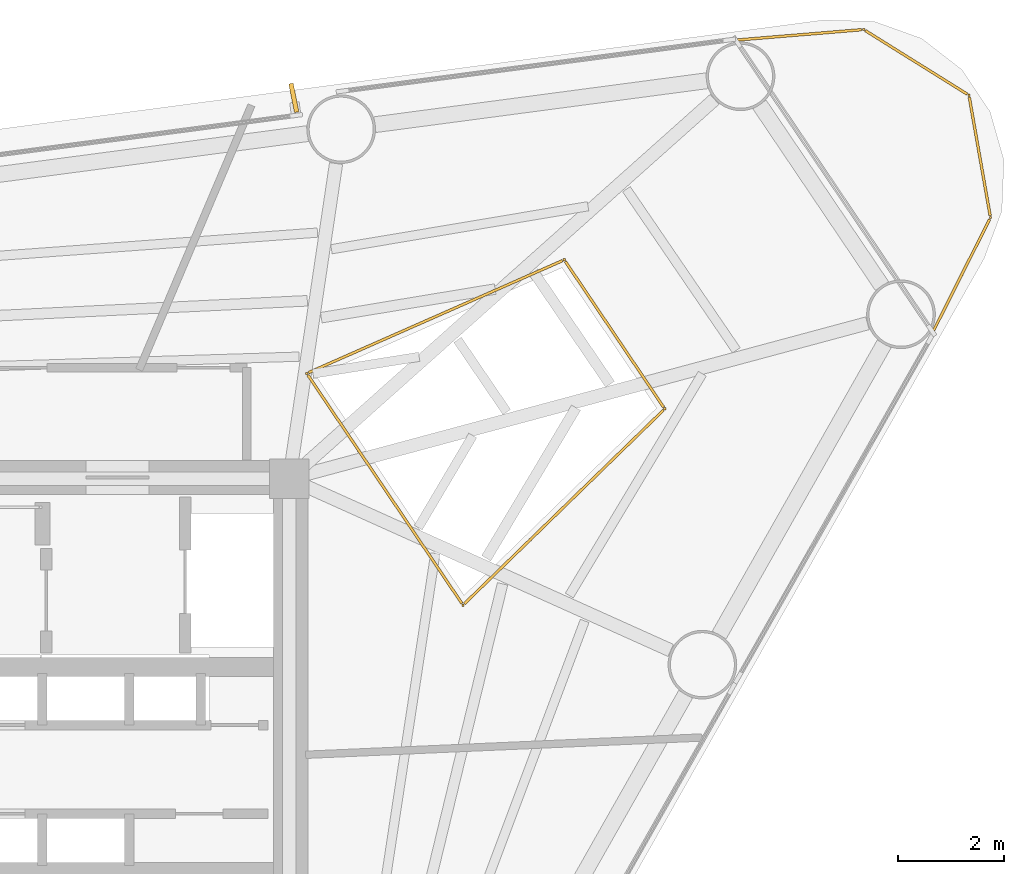
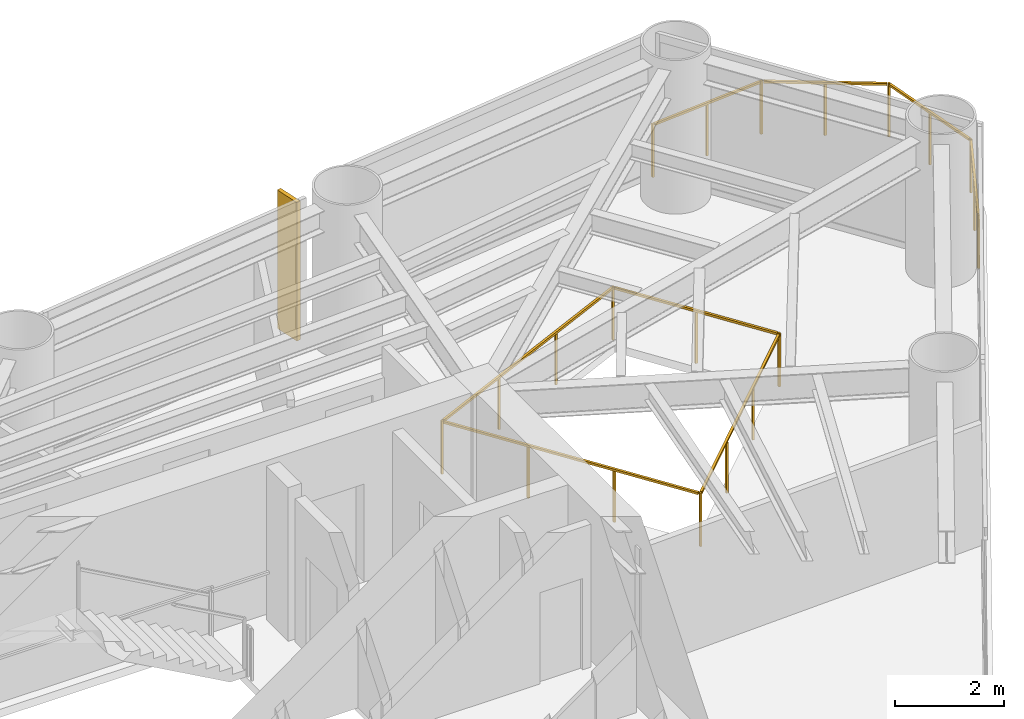
# One storey, part 10 of 10: 2 railings, 1 shading device.
"""IFC4 building model written with IfcOpenShell, lengths in metres."""

import ifcopenshell
import ifcopenshell.guid

model = None  # the IFC model being written
_history = None  # IfcOwnerHistory: only IFC2X3 demands one
_inside = {}  # id of a spatial element -> (the spatial element, [elements in it])
_under = {}  # id of a project, library or spatial element -> (it, [spatial elements below it])
_declared = {}  # id of a project -> (the project, [libraries it declares])
_typed = {}  # id of a type object -> (the type object, [elements of that type])
_made_of = {}  # id of a material, layer set ... -> (it, [elements and type objects made of it])


def new_model(schema):
    """Start an empty IFC model of exactly this schema.

    Asked for "IFC4X3", IfcOpenShell would pick the latest addendum, in which some entities
    have other attributes; the version numbers below select the first issue.
    IFC2X3 requires an IfcOwnerHistory on every rooted entity: one is made here for all.
    """
    global model, _history
    if schema == "IFC4X3":
        model = ifcopenshell.file(schema_version=(4, 3, 0, 0))
    else:
        model = ifcopenshell.file(schema=schema)
    _inside.clear()
    _under.clear()
    _declared.clear()
    _typed.clear()
    _made_of.clear()
    _history = None
    if model.schema == "IFC2X3":
        org = make("IfcOrganization", Name="unknown")
        user = make(
            "IfcPersonAndOrganization",
            ThePerson=make("IfcPerson", FamilyName="unknown"),
            TheOrganization=org,
        )
        app = make(
            "IfcApplication",
            ApplicationDeveloper=org,
            Version="unknown",
            ApplicationFullName="unknown",
            ApplicationIdentifier="unknown",
        )
        _history = make(
            "IfcOwnerHistory",
            OwningUser=user,
            OwningApplication=app,
            ChangeAction="ADDED",
            CreationDate=0,
        )
    return model


def make(cls, **values):
    """One entity of the class cls with the attributes given. An attribute that is None is left unset."""
    return model.create_entity(
        cls, **{name: value for name, value in values.items() if value is not None}
    )


def rooted(cls, **values):
    """An entity with a GlobalId (a new one), such as an element, a storey or a relation."""
    return make(cls, GlobalId=ifcopenshell.guid.new(), OwnerHistory=_history, **values)


def si_unit(unit_type, name, prefix=None):
    """IfcSIUnit, for example si_unit("LENGTHUNIT", "METRE", prefix="MILLI")."""
    return make("IfcSIUnit", UnitType=unit_type, Prefix=prefix, Name=name)


def assignment(units):
    """IfcUnitAssignment: the units of a project."""
    return None if units is None else make("IfcUnitAssignment", Units=units)


def point(xyz):
    """IfcCartesianPoint."""
    return None if xyz is None else make("IfcCartesianPoint", Coordinates=xyz)


def direction(xyz):
    """IfcDirection."""
    return None if xyz is None else make("IfcDirection", DirectionRatios=xyz)


def frame(location, z_axis=None, x_axis=None):
    """IfcAxis2Placement3D, a coordinate frame: its origin and axes. An axis left out is left unset."""
    return make(
        "IfcAxis2Placement3D",
        Location=point(location),
        Axis=direction(z_axis),
        RefDirection=direction(x_axis),
    )


def frame_2d(location, x_axis=None):
    """IfcAxis2Placement2D, a coordinate frame in the plane: its origin and x axis."""
    return make(
        "IfcAxis2Placement2D", Location=point(location), RefDirection=direction(x_axis)
    )


def origin():
    """The frame at (0, 0, 0) with its axes left unset."""
    return frame((0.0, 0.0, 0.0))


def origin_2d():
    """The frame at (0, 0) in the plane with its x axis left unset."""
    return frame_2d((0.0, 0.0))


def place(relative_to, where):
    """IfcLocalPlacement: puts the frame where relative to a parent placement (None: the world)."""
    return make(
        "IfcLocalPlacement", PlacementRelTo=relative_to, RelativePlacement=where
    )


def context(
    kind, dimensions, precision=None, world=None, true_north=None, identifier=None
):
    """IfcGeometricRepresentationContext, for example the 3D "Model" context."""
    return make(
        "IfcGeometricRepresentationContext",
        ContextIdentifier=identifier,
        ContextType=kind,
        CoordinateSpaceDimension=dimensions,
        Precision=precision,
        WorldCoordinateSystem=world,
        TrueNorth=true_north,
    )


def subcontext(parent, identifier, kind, view, scale=None):
    """IfcGeometricRepresentationSubContext, for example "Body" below "Model"."""
    return make(
        "IfcGeometricRepresentationSubContext",
        ContextIdentifier=identifier,
        ContextType=kind,
        ParentContext=parent,
        TargetScale=scale,
        TargetView=view,
    )


def project(units=None, contexts=None):
    """IfcProject with its units and contexts."""
    return rooted(
        "IfcProject",
        Name="project",
        RepresentationContexts=contexts,
        UnitsInContext=assignment(units),
    )


def spatial(cls, under=None, at=None, **own):
    """A site, building, storey or space (cls), placed at a placement, below another one or the project."""
    s = rooted(cls, ObjectPlacement=at, **own)
    if under is not None:
        _under.setdefault(under.id(), (under, []))[1].append(s)
    return s


def profile(cls, at=None, kind="AREA", **sizes):
    """A parametric profile (cls). Its sizes go by their IFC names, for example OverallWidth=200.0."""
    return make(cls, ProfileType=kind, Position=at, **sizes)


def rectangle(**sizes):
    """IfcRectangleProfileDef."""
    return profile("IfcRectangleProfileDef", **sizes)


def extrude(swept, where, along, depth):
    """IfcExtrudedAreaSolid: the profile swept, set in the frame where, extruded along a direction by depth."""
    return make(
        "IfcExtrudedAreaSolid",
        SweptArea=swept,
        Position=where,
        ExtrudedDirection=direction(along),
        Depth=depth,
    )


def shape(context_of_items, identifier, shape_type, items):
    """IfcShapeRepresentation: the items that make up one representation, for example the "Body"."""
    return make(
        "IfcShapeRepresentation",
        ContextOfItems=context_of_items,
        RepresentationIdentifier=identifier,
        RepresentationType=shape_type,
        Items=items,
    )


def source(mapping_origin, context_of_items, identifier, shape_type, items):
    """IfcRepresentationMap: a shape defined once, which mapped items show again and again."""
    return make(
        "IfcRepresentationMap",
        MappingOrigin=mapping_origin,
        MappedRepresentation=shape(context_of_items, identifier, shape_type, items),
    )


def transform(
    local_origin,
    x_axis=None,
    y_axis=None,
    z_axis=None,
    scale=None,
    scale2=None,
    scale3=None,
    uniform=True,
):
    """IfcCartesianTransformationOperator3D, or its non-uniform kind. x_axis, y_axis, z_axis: its Axis1, 2, 3."""
    if uniform:
        return make(
            "IfcCartesianTransformationOperator3D",
            Axis1=direction(x_axis),
            Axis2=direction(y_axis),
            LocalOrigin=point(local_origin),
            Scale=scale,
            Axis3=direction(z_axis),
        )
    return make(
        "IfcCartesianTransformationOperator3DnonUniform",
        Axis1=direction(x_axis),
        Axis2=direction(y_axis),
        LocalOrigin=point(local_origin),
        Scale=scale,
        Axis3=direction(z_axis),
        Scale2=scale2,
        Scale3=scale3,
    )


def mapped(mapping_source, mapping_target):
    """IfcMappedItem: shows the shape of a source again, moved by a transform."""
    return make(
        "IfcMappedItem", MappingSource=mapping_source, MappingTarget=mapping_target
    )


def material(Name=None, Category=None):
    """IfcMaterial."""
    return make("IfcMaterial", Name=Name, Category=Category)


def material_profile(
    of_material, cross_section, Name=None, Category=None, Priority=None
):
    """IfcMaterialProfile: a cross section and its material."""
    return make(
        "IfcMaterialProfile",
        Name=Name,
        Material=of_material,
        Profile=cross_section,
        Priority=Priority,
        Category=Category,
    )


def profile_set(profiles, Name=None, composite=None):
    """IfcMaterialProfileSet."""
    return make(
        "IfcMaterialProfileSet",
        Name=Name,
        MaterialProfiles=profiles,
        CompositeProfile=composite,
    )


def made_of(thing, what):
    """Note that an element or type object is made of a material, layer set ...; save() writes the relation."""
    if what is not None:
        _made_of.setdefault(what.id(), (what, []))[1].append(thing)
    return thing


def type_object(cls, material=None, **own):
    """A type object (cls), such as IfcWallType, which elements share."""
    return made_of(rooted(cls, **own), material)


def element(
    cls,
    number,
    at=None,
    inside=None,
    cuts=None,
    type_object=None,
    material=None,
    context=None,
    identifier="Body",
    shape_type=None,
    held_by="IfcProductDefinitionShape",
    body=None,
    shapes=None,
    **own,
):
    """One element of the class cls, such as IfcWall. Its Tag is "e" and its number.

    at: its placement. inside: the storey or other place that contains it. cuts: it is an
    opening in that element (IfcRelVoidsElement). A single representation is given by context,
    identifier, shape_type and body (its items); several are given by shapes. held_by: the class
    of the entity that holds the representations. save() writes the other relations.
    """
    e = rooted(cls, Tag="e%d" % number, ObjectPlacement=at, **own)
    if body is not None:
        shapes = [shape(context, identifier, shape_type, body)]
    if shapes is not None:
        e.Representation = make(held_by, Representations=shapes)
    if inside is not None:
        _inside.setdefault(inside.id(), (inside, []))[1].append(e)
    if cuts is not None:
        rooted(
            "IfcRelVoidsElement", RelatingBuildingElement=cuts, RelatedOpeningElement=e
        )
    if type_object is not None:
        _typed.setdefault(type_object.id(), (type_object, []))[1].append(e)
    return made_of(e, material)


def aggregate(whole, parts):
    """IfcRelAggregates: a whole, such as a stair, and the parts it consists of."""
    return rooted("IfcRelAggregates", RelatingObject=whole, RelatedObjects=parts)


def save(model, path):
    """Write the relations noted so far, then the file.

    IfcRelAggregates (storeys below a building ...), IfcRelContainedInSpatialStructure (elements
    in a storey), IfcRelDefinesByType, IfcRelAssociatesMaterial and IfcRelDeclares: one each for
    every whole, place, type object, material and project.
    """
    for whole, parts in _under.values():
        aggregate(whole, parts)
    for where, things in _inside.values():
        rooted(
            "IfcRelContainedInSpatialStructure",
            RelatedElements=things,
            RelatingStructure=where,
        )
    for kind, things in _typed.values():
        rooted("IfcRelDefinesByType", RelatedObjects=things, RelatingType=kind)
    for what, things in _made_of.values():
        rooted("IfcRelAssociatesMaterial", RelatedObjects=things, RelatingMaterial=what)
    for by, libraries in _declared.values():
        rooted("IfcRelDeclares", RelatingContext=by, RelatedDefinitions=libraries)
    model.write(path)


model = new_model("IFC4")

# Units and contexts
model_context = context("Model", 3, precision=1e-05, world=origin(), true_north=direction((0.0, 1.0)))
body_context = subcontext(model_context, "Body", "Model", "MODEL_VIEW")
ifc_project = project(units=[si_unit("LENGTHUNIT", "METRE"), si_unit("AREAUNIT", "SQUARE_METRE"), si_unit("VOLUMEUNIT", "CUBIC_METRE"), si_unit("PLANEANGLEUNIT", "RADIAN"), si_unit("MASSUNIT", "GRAM", prefix="KILO")], contexts=[model_context])

# Site, building, storey
site_placement = place(None, origin())
site = spatial("IfcSite", under=ifc_project, at=site_placement, CompositionType="ELEMENT")
building_placement = place(site_placement, origin())
building = spatial("IfcBuilding", under=site, at=building_placement, Name="Yunling Apex Tower", CompositionType="ELEMENT")
storey_placement = place(building_placement, frame((0.0, 0.0, 182.89990234375)))
storey = spatial("IfcBuildingStorey", under=building, at=storey_placement, Name="L45", CompositionType="ELEMENT", Elevation=182.89990234375)

# Railings
ifc_material = material(Name="Bronze anodised aluminium", Category="aluminium")
railing_type = type_object("IfcRailingType", Name="RL-BAL-1200", PredefinedType="BALUSTRADE", material=ifc_material)
railing_1_placement = place(storey_placement, frame((14.496337890625, 13.798095703125, 0.0)))
element("IfcRailing", 1, at=railing_1_placement, inside=storey, type_object=railing_type, Name="RL-CRNSILL-L45-1", PredefinedType="BALUSTRADE", context=body_context, shape_type="SweptSolid", body=[
    extrude(rectangle(XDim=0.0439453125, YDim=0.0439453125, at=origin_2d()), origin(), (0.0, 0.0, 1.0), 1.199951171875),
    extrude(rectangle(XDim=0.0439453125, YDim=0.0439453125, at=origin_2d()), frame((2.421142578125, 0.2001953125, 0.0)), (0.0, 0.0, 1.0), 1.199951171875),
    extrude(rectangle(XDim=0.050048828125, YDim=0.050048828125, at=origin_2d()), frame((0.0380859375, 0.003173828125, 1.1748046875), z_axis=(0.99659891826, 0.082405073407, 0.0), x_axis=(-0.082405073407, 0.99659891826, 0.0)), (0.0, 0.0, 1.0), 2.352783203125),
    extrude(rectangle(XDim=0.0439453125, YDim=0.0439453125, at=origin_2d()), frame((1.21044921875, 0.10009765625, 0.0)), (0.0, 0.0, 1.0), 1.14599609375),
    extrude(rectangle(XDim=0.0439453125, YDim=0.0439453125, at=origin_2d()), frame((4.412841796875, -1.043701171875, 0.0)), (0.0, 0.0, 1.0), 1.199951171875),
    extrude(rectangle(XDim=0.050048828125, YDim=0.050048828125, at=origin_2d()), frame((2.45361328125, 0.179931640625, 1.1748046875), z_axis=(0.84817348515, -0.52971854705, 0.0), x_axis=(0.52971854705, 0.84817348515, 0.0)), (0.0, 0.0, 1.0), 2.271484375),
    extrude(rectangle(XDim=0.0439453125, YDim=0.0439453125, at=origin_2d()), frame((3.4169921875, -0.421875, 0.0)), (0.0, 0.0, 1.0), 1.14599609375),
    extrude(rectangle(XDim=0.0439453125, YDim=0.0439453125, at=origin_2d()), frame((4.820068359375, -3.356201171875, 0.0)), (0.0, 0.0, 1.0), 1.199951171875),
    extrude(rectangle(XDim=0.050048828125, YDim=0.050048828125, at=origin_2d()), frame((4.41943359375, -1.08154296875, 1.1748046875), z_axis=(0.173429436748, -0.984846297891, 0.0), x_axis=(0.984846297891, 0.173429436748, 0.0)), (0.0, 0.0, 1.0), 2.271484375),
    extrude(rectangle(XDim=0.0439453125, YDim=0.0439453125, at=origin_2d()), frame((4.616455078125, -2.199951171875, 0.0)), (0.0, 0.0, 1.0), 1.14599609375),
    extrude(rectangle(XDim=0.0439453125, YDim=0.0439453125, at=origin_2d()), frame((3.7275390625, -5.526123046875, 0.0)), (0.0, 0.0, 1.0), 1.199951171875),
    extrude(rectangle(XDim=0.050048828125, YDim=0.050048828125, at=origin_2d()), frame((4.802734375, -3.390380859375, 1.1748046875), z_axis=(-0.449704074189, -0.893177611485, 0.0), x_axis=(0.893177611485, -0.449704074189, 0.0)), (0.0, 0.0, 1.0), 2.352783203125),
    extrude(rectangle(XDim=0.0439453125, YDim=0.0439453125, at=origin_2d()), frame((4.27392578125, -4.441162109375, 0.0)), (0.0, 0.0, 1.0), 1.14599609375),
])
railing_2_placement = place(storey_placement, frame((6.381103515625, 7.49267578125, 0.0)))
element("IfcRailing", 2, at=railing_2_placement, inside=storey, type_object=railing_type, Name="RL-TATR-L45", PredefinedType="BALUSTRADE", context=body_context, shape_type="SweptSolid", body=[
    extrude(rectangle(XDim=0.0439453125, YDim=0.0439453125, at=origin_2d()), origin(), (0.0, 0.0, 1.0), 1.199951171875),
    extrude(rectangle(XDim=0.0439453125, YDim=0.0439453125, at=origin_2d()), frame((4.87158203125, 2.1484375, 0.0)), (0.0, 0.0, 1.0), 1.199951171875),
    extrude(rectangle(XDim=0.050048828125, YDim=0.050048828125, at=origin_2d()), frame((0.03515625, 0.015380859375, 1.1748046875), z_axis=(0.914972578992, 0.403516021606, 0.0), x_axis=(-0.403516021606, 0.914972578992, 0.0)), (0.0, 0.0, 1.0), 5.24755859375),
    extrude(rectangle(XDim=0.0439453125, YDim=0.0439453125, at=origin_2d()), frame((1.623779296875, 0.716064453125, 0.0)), (0.0, 0.0, 1.0), 1.14599609375),
    extrude(rectangle(XDim=0.0439453125, YDim=0.0439453125, at=origin_2d()), frame((3.247802734375, 1.432373046875, 0.0)), (0.0, 0.0, 1.0), 1.14599609375),
    extrude(rectangle(XDim=0.0439453125, YDim=0.0439453125, at=origin_2d()), frame((6.773193359375, -0.6708984375, 0.0)), (0.0, 0.0, 1.0), 1.199951171875),
    extrude(rectangle(XDim=0.050048828125, YDim=0.050048828125, at=origin_2d()), frame((4.89306640625, 2.11669921875, 1.1748046875), z_axis=(0.559181833343, -0.829045039343, 0.0), x_axis=(0.829045039343, 0.559181833343, 0.0)), (0.0, 0.0, 1.0), 3.323974609375),
    extrude(rectangle(XDim=0.0439453125, YDim=0.0439453125, at=origin_2d()), frame((5.822265625, 0.73876953125, 0.0)), (0.0, 0.0, 1.0), 1.14599609375),
    extrude(rectangle(XDim=0.0439453125, YDim=0.0439453125, at=origin_2d()), frame((2.956298828125, -4.383056640625, 0.0)), (0.0, 0.0, 1.0), 1.199951171875),
    extrude(rectangle(XDim=0.050048828125, YDim=0.050048828125, at=origin_2d()), frame((6.74560546875, -0.697509765625, 1.1748046875), z_axis=(-0.71687395367, -0.697202792987, 0.0), x_axis=(0.697202792987, -0.71687395367, 0.0)), (0.0, 0.0, 1.0), 5.247802734375),
    extrude(rectangle(XDim=0.0439453125, YDim=0.0439453125, at=origin_2d()), frame((5.5009765625, -1.908203125, 0.0)), (0.0, 0.0, 1.0), 1.14599609375),
    extrude(rectangle(XDim=0.0439453125, YDim=0.0439453125, at=origin_2d()), frame((4.228515625, -3.145751953125, 0.0)), (0.0, 0.0, 1.0), 1.14599609375),
    extrude(rectangle(XDim=0.050048828125, YDim=0.050048828125, at=origin_2d()), frame((2.934814453125, -4.351318359375, 1.1748046875), z_axis=(-0.559178576396, 0.829047236109, 0.0), x_axis=(-0.829047236109, -0.559178576396, 0.0)), (0.0, 0.0, 1.0), 5.210205078125),
    extrude(rectangle(XDim=0.0439453125, YDim=0.0439453125, at=origin_2d()), frame((1.970947265625, -2.922119140625, 0.0)), (0.0, 0.0, 1.0), 1.14599609375),
    extrude(rectangle(XDim=0.0439453125, YDim=0.0439453125, at=origin_2d()), frame((0.9853515625, -1.4609375, 0.0)), (0.0, 0.0, 1.0), 1.14599609375),
])

# Shading device
ifc_material_profile = material_profile(ifc_material, rectangle(XDim=0.0849609375, YDim=0.550048828125, at=origin_2d()))
ifc_profile_set = profile_set([ifc_material_profile], Name="Bronze anodised aluminium")
shading_device_type = type_object("IfcShadingDeviceType", Name="FN-BRZ-3", PredefinedType="USERDEFINED", material=ifc_profile_set)
shared_shape = source(origin(), body_context, "Body", "SweptSolid", [
    extrude(rectangle(XDim=0.0849609375, YDim=0.550048828125, at=origin_2d()), origin(), (0.0, 0.0, 1.0), 3.110107421875),
])
shading_device_placement = place(storey_placement, frame((6.13671875, 12.706787109375, 0.06005859375), z_axis=(0.0, 0.0, 1.0), x_axis=(-0.980648842665, -0.195774991714, 0.0)))
element("IfcShadingDevice", 3, at=shading_device_placement, inside=storey, type_object=shading_device_type, Name="CW-L45-F2-B2-FIN-01", ObjectType="FIN", PredefinedType="USERDEFINED", context=body_context, shape_type="MappedRepresentation", body=[
    mapped(shared_shape, transform((0.0, 0.0, 0.0), scale=1.0)),
])

save(model, "model.ifc")
